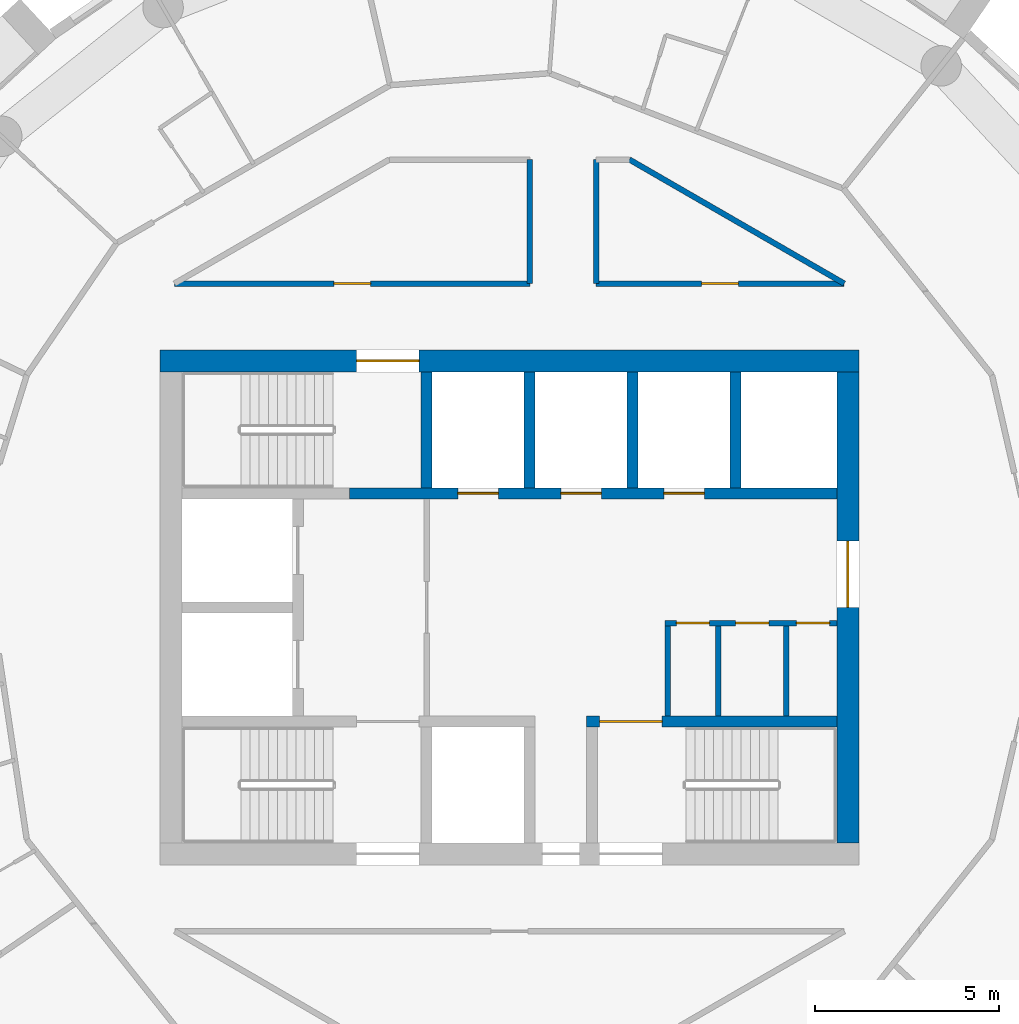
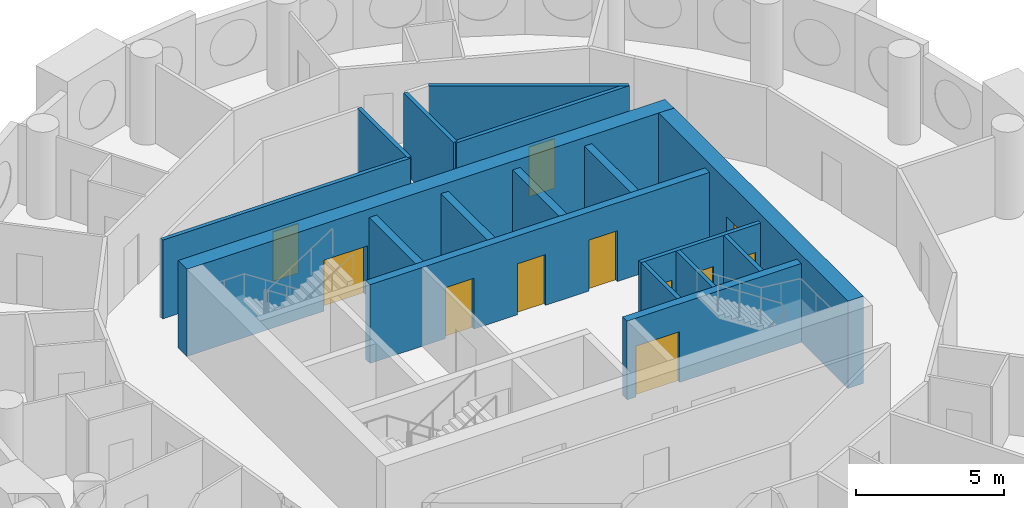
# One storey, part 6 of 11: 17 walls, 11 doors, 11 openings.
"""IFC4 building model written with IfcOpenShell, lengths in metres."""

from ifc_helpers import new_model, si_unit, direction, frame, frame_2d, origin, place, context, subcontext, project, spatial, rectangle, extrude, material, layer, layer_set, type_object, element, fill, save


model = new_model("IFC4")

# Units and contexts
model_context = context("Model", 3, precision=1e-05, world=origin(), true_north=direction((0.0, 1.0)))
body_context = subcontext(model_context, "Body", "Model", "MODEL_VIEW")
ifc_project = project(units=[si_unit("LENGTHUNIT", "METRE"), si_unit("AREAUNIT", "SQUARE_METRE"), si_unit("VOLUMEUNIT", "CUBIC_METRE"), si_unit("PLANEANGLEUNIT", "RADIAN"), si_unit("MASSUNIT", "GRAM", prefix="KILO")], contexts=[model_context])

# Site, building, storey
site_placement = place(None, origin())
site = spatial("IfcSite", under=ifc_project, at=site_placement, CompositionType="ELEMENT")
building_placement = place(site_placement, origin())
building = spatial("IfcBuilding", under=site, at=building_placement, Name="Tracery Tower", CompositionType="ELEMENT")
storey_placement = place(building_placement, frame((0.0, 0.0, 267.0)))
storey = spatial("IfcBuildingStorey", under=building, at=storey_placement, Name="L69", CompositionType="ELEMENT", Elevation=267.0)

# Wall
ifc_material_1 = material(Name="Plasterboard on steel studs", Category="steel")
ifc_layer_1 = layer(ifc_material_1, 0.14990234375)
ifc_layer_set_1 = layer_set([ifc_layer_1], Name="Core room partition 150")
wall_type_1 = type_object("IfcWallType", Name="Core room partition 150", PredefinedType="SOLIDWALL", material=ifc_layer_set_1)
wall_1_placement = place(storey_placement, frame((4.300048828125, -2.949951171875, 0.0), z_axis=(0.0, 0.0, 1.0), x_axis=(0.0, 1.0, 0.0)))
element("IfcWall", 1, at=wall_1_placement, inside=storey, type_object=wall_type_1, Name="L69 slot W", PredefinedType="SOLIDWALL", context=body_context, shape_type="SweptSolid", body=[
    extrude(rectangle(XDim=2.449951171875, YDim=0.14990234375, at=frame_2d((1.22509765625, 0.0))), origin(), (0.0, 0.0, 1.0), 3.25),
])

# Wall, openings, doors
wall_2_placement = place(storey_placement, frame((4.22509765625, -0.425048828125, 0.0), z_axis=(0.0, 0.0, 1.0), x_axis=(1.0, 0.0, 0.0)))
wall_2 = element("IfcWall", 2, at=wall_2_placement, inside=storey, type_object=wall_type_1, Name="L69 slot N", PredefinedType="SOLIDWALL", context=body_context, shape_type="SweptSolid", body=[
    extrude(rectangle(XDim=4.6748046875, YDim=0.14990234375, at=frame_2d((2.33740234375, 0.0))), origin(), (0.0, 0.0, 1.0), 3.25),
])
opening_1_placement = place(wall_2_placement, frame((0.3125, 0.0, 0.0)))
opening_1 = element("IfcOpeningElement", 3, at=opening_1_placement, cuts=wall_2, Name="Opening KD32", PredefinedType="OPENING", context=body_context, shape_type="SweptSolid", body=[
    extrude(rectangle(XDim=0.89990234375, YDim=2.10009765625, at=frame_2d((0.449951171875, 1.050048828125))), frame((0.0, 0.074951171875, 0.0), z_axis=(0.0, -1.0, 0.0), x_axis=(1.0, 0.0, 0.0)), (0.0, 0.0, 1.0), 0.14990234375),
])
opening_2_placement = place(wall_2_placement, frame((1.925048828125, 0.0, 0.0)))
opening_2 = element("IfcOpeningElement", 4, at=opening_2_placement, cuts=wall_2, Name="Opening KD21", PredefinedType="OPENING", context=body_context, shape_type="SweptSolid", body=[
    extrude(rectangle(XDim=0.89990234375, YDim=2.10009765625, at=frame_2d((0.449951171875, 1.050048828125))), frame((0.0, 0.074951171875, 0.0), z_axis=(0.0, -1.0, 0.0), x_axis=(1.0, 0.0, 0.0)), (0.0, 0.0, 1.0), 0.14990234375),
])
opening_3_placement = place(wall_2_placement, frame((3.574951171875, 0.0, 0.0)))
opening_3 = element("IfcOpeningElement", 5, at=opening_3_placement, cuts=wall_2, Name="Opening KD27", PredefinedType="OPENING", context=body_context, shape_type="SweptSolid", body=[
    extrude(rectangle(XDim=0.89990234375, YDim=2.10009765625, at=frame_2d((0.449951171875, 1.050048828125))), frame((0.0, 0.074951171875, 0.0), z_axis=(0.0, -1.0, 0.0), x_axis=(1.0, 0.0, 0.0)), (0.0, 0.0, 1.0), 0.14990234375),
])
ifc_material_2 = material(Name="Timber door leaf", Category="wood")
door_type_1 = type_object("IfcDoorType", Name="Core WC door 900", OperationType="NOTDEFINED", PredefinedType="DOOR", material=ifc_material_2)
door_1_placement = place(opening_2_placement, origin())
door_1 = element("IfcDoor", 6, at=door_1_placement, inside=storey, type_object=door_type_1, Name="Core door", OperationType="SINGLE_SWING_LEFT", OverallHeight=2.10009765625, OverallWidth=0.89990234375, PredefinedType="DOOR", context=body_context, shape_type="SweptSolid", body=[
    extrude(rectangle(XDim=0.89990234375, YDim=2.10009765625, at=frame_2d((0.449951171875, 1.050048828125))), frame((0.0, 0.02490234375, 0.0), z_axis=(0.0, -1.0, 0.0), x_axis=(1.0, 0.0, 0.0)), (0.0, 0.0, 1.0), 0.050048828125),
])
fill(opening_2, door_1)
ifc_material_3 = material(Name="Steel fire door", Category="steel")
door_type_2 = type_object("IfcDoorType", Name="Core riser door 900", OperationType="NOTDEFINED", PredefinedType="DOOR", material=ifc_material_3)
door_2_placement = place(opening_1_placement, origin())
door_2 = element("IfcDoor", 7, at=door_2_placement, inside=storey, type_object=door_type_2, Name="Core door", OperationType="SINGLE_SWING_RIGHT", OverallHeight=2.10009765625, OverallWidth=0.89990234375, PredefinedType="DOOR", context=body_context, shape_type="SweptSolid", body=[
    extrude(rectangle(XDim=0.89990234375, YDim=2.10009765625, at=frame_2d((0.449951171875, 1.050048828125))), frame((0.0, 0.02490234375, 0.0), z_axis=(0.0, -1.0, 0.0), x_axis=(1.0, 0.0, 0.0)), (0.0, 0.0, 1.0), 0.050048828125),
])
fill(opening_1, door_2)
ifc_material_4 = material(Name="Timber door leaf", Category="wood")
door_type_3 = type_object("IfcDoorType", Name="Core store door 900", OperationType="NOTDEFINED", PredefinedType="DOOR", material=ifc_material_4)
door_3_placement = place(opening_3_placement, origin())
door_3 = element("IfcDoor", 8, at=door_3_placement, inside=storey, type_object=door_type_3, Name="Core door", OperationType="SINGLE_SWING_RIGHT", OverallHeight=2.10009765625, OverallWidth=0.89990234375, PredefinedType="DOOR", context=body_context, shape_type="SweptSolid", body=[
    extrude(rectangle(XDim=0.89990234375, YDim=2.10009765625, at=frame_2d((0.449951171875, 1.050048828125))), frame((0.0, 0.02490234375, 0.0), z_axis=(0.0, -1.0, 0.0), x_axis=(1.0, 0.0, 0.0)), (0.0, 0.0, 1.0), 0.050048828125),
])
fill(opening_3, door_3)

# Walls
for number, where, z_axis, x_axis, name in (
    (9, (5.675048828125, -2.949951171875, 0.0), (0.0, 0.0, 1.0), (0.0, 1.0, 0.0), "L69 slot sep 1"),
    (10, (7.52490234375, -2.949951171875, 0.0), (0.0, 0.0, 1.0), (0.0, 1.0, 0.0), "L69 slot sep 2"),
):
    element("IfcWall", number, at=place(storey_placement, frame(where, z_axis=z_axis, x_axis=x_axis)), inside=storey, type_object=wall_type_1, Name=name, PredefinedType="SOLIDWALL", context=body_context, shape_type="SweptSolid", body=[
        extrude(rectangle(XDim=2.449951171875, YDim=0.14990234375, at=frame_2d((1.22509765625, 0.0))), origin(), (0.0, 0.0, 1.0), 3.25),
    ])

# Wall, opening, door
ifc_material_5 = material(Name="Concrete C40/50", Category="concrete")
ifc_layer_2 = layer(ifc_material_5, 0.60009765625)
ifc_layer_set_2 = layer_set([ifc_layer_2], Name="Core wall 600 C40")
wall_type_2 = type_object("IfcWallType", Name="Core wall 600 C40", PredefinedType="SOLIDWALL", material=ifc_layer_set_2)
wall_3_placement = place(storey_placement, frame((-9.5, 6.699951171875, 0.0), z_axis=(0.0, 0.0, 1.0), x_axis=(1.0, 0.0, 0.0)))
wall_3 = element("IfcWall", 11, at=wall_3_placement, inside=storey, type_object=wall_type_2, Name="L69 outer N", PredefinedType="SOLIDWALL", context=body_context, shape_type="SweptSolid", body=[
    extrude(rectangle(XDim=19.0, YDim=0.60009765625, at=frame_2d((9.5, 0.0))), origin(), (0.0, 0.0, 1.0), 3.60009765625),
])
opening_4_placement = place(wall_3_placement, frame((5.35009765625, 0.0, 0.0)))
opening_4 = element("IfcOpeningElement", 12, at=opening_4_placement, cuts=wall_3, Name="Opening KD3", PredefinedType="OPENING", context=body_context, shape_type="SweptSolid", body=[
    extrude(rectangle(XDim=1.699951171875, YDim=2.10009765625, at=frame_2d((0.85009765625, 1.050048828125))), frame((0.0, 0.300048828125, 0.0), z_axis=(0.0, -1.0, 0.0), x_axis=(1.0, 0.0, 0.0)), (0.0, 0.0, 1.0), 0.60009765625),
])
ifc_material_6 = material(Name="Steel fire door", Category="steel")
door_type_4 = type_object("IfcDoorType", Name="Core stair door 1700 double", OperationType="NOTDEFINED", PredefinedType="DOOR", material=ifc_material_6)
door_4_placement = place(opening_4_placement, origin())
door_4 = element("IfcDoor", 13, at=door_4_placement, inside=storey, type_object=door_type_4, Name="Stair door ST3 exit", OperationType="DOUBLE_DOOR_SINGLE_SWING", OverallHeight=2.10009765625, OverallWidth=1.699951171875, PredefinedType="DOOR", context=body_context, shape_type="SweptSolid", body=[
    extrude(rectangle(XDim=1.699951171875, YDim=2.10009765625, at=frame_2d((0.85009765625, 1.050048828125))), frame((0.0, 0.02490234375, 0.0), z_axis=(0.0, -1.0, 0.0), x_axis=(1.0, 0.0, 0.0)), (0.0, 0.0, 1.0), 0.050048828125),
])
fill(opening_4, door_4)

wall_4_placement = place(storey_placement, frame((9.199951171875, -6.39990234375, 0.0), z_axis=(0.0, 0.0, 1.0), x_axis=(0.0, 1.0, 0.0)))
wall_4 = element("IfcWall", 14, at=wall_4_placement, inside=storey, type_object=wall_type_2, Name="L69 outer E", PredefinedType="SOLIDWALL", context=body_context, shape_type="SweptSolid", body=[
    extrude(rectangle(XDim=12.7998046875, YDim=0.60009765625, at=frame_2d((6.39990234375, 0.0))), origin(), (0.0, 0.0, 1.0), 3.60009765625),
])
opening_5_placement = place(wall_4_placement, frame((6.39990234375, 0.0, 0.0)))
opening_5 = element("IfcOpeningElement", 15, at=opening_5_placement, cuts=wall_4, Name="Opening KD13", PredefinedType="OPENING", context=body_context, shape_type="SweptSolid", body=[
    extrude(rectangle(XDim=1.800048828125, YDim=2.10009765625, at=frame_2d((0.89990234375, 1.050048828125))), frame((0.0, 0.300048828125, 0.0), z_axis=(0.0, -1.0, 0.0), x_axis=(1.0, 0.0, 0.0)), (0.0, 0.0, 1.0), 0.60009765625),
])
ifc_material_7 = material(Name="Steel fire door", Category="steel")
door_type_5 = type_object("IfcDoorType", Name="Core exit door 1800 double", OperationType="NOTDEFINED", PredefinedType="DOOR", material=ifc_material_7)
door_5_placement = place(opening_5_placement, origin())
door_5 = element("IfcDoor", 16, at=door_5_placement, inside=storey, type_object=door_type_5, Name="Core exit door", OperationType="DOUBLE_DOOR_SINGLE_SWING", OverallHeight=2.10009765625, OverallWidth=1.800048828125, PredefinedType="DOOR", context=body_context, shape_type="SweptSolid", body=[
    extrude(rectangle(XDim=1.800048828125, YDim=2.10009765625, at=frame_2d((0.89990234375, 1.050048828125))), frame((0.0, 0.02490234375, 0.0), z_axis=(0.0, -1.0, 0.0), x_axis=(1.0, 0.0, 0.0)), (0.0, 0.0, 1.0), 0.050048828125),
])
fill(opening_5, door_5)

ifc_material_8 = material(Name="Plasterboard on steel studs", Category="steel")
ifc_layer_3 = layer(ifc_material_8, 0.14990234375)
ifc_layer_set_3 = layer_set([ifc_layer_3], Name="Partition 150 corridor wall")
wall_type_3 = type_object("IfcWallType", Name="Partition 150 corridor wall", PredefinedType="PARTITIONING", material=ifc_layer_set_3)
wall_5_placement = place(storey_placement, frame((-9.10302734375, 8.800048828125, 0.0), z_axis=(0.0, 0.0, 1.0), x_axis=(1.0, 0.0, 0.0)))
wall_5 = element("IfcWall", 17, at=wall_5_placement, inside=storey, type_object=wall_type_3, Name="Corridor wall RC4-001", PredefinedType="PARTITIONING", context=body_context, shape_type="SweptSolid", body=[
    extrude(rectangle(XDim=9.6630859375, YDim=0.14990234375, at=frame_2d((4.83154296875, 0.0))), origin(), (0.0, 0.0, 1.0), 3.25),
])
opening_6_placement = place(wall_5_placement, frame((4.33203125, 0.0, 0.0)))
opening_6 = element("IfcOpeningElement", 18, at=opening_6_placement, cuts=wall_5, Name="Opening RC4-01", PredefinedType="OPENING", context=body_context, shape_type="SweptSolid", body=[
    extrude(rectangle(XDim=1.0, YDim=2.0400390625, at=frame_2d((0.5, 1.02001953125))), frame((0.0, 0.074951171875, 0.0), z_axis=(0.0, -1.0, 0.0), x_axis=(1.0, 0.0, 0.0)), (0.0, 0.0, 1.0), 0.14990234375),
])
ifc_material_9 = material(Name="Timber door leaf", Category="wood")
door_type_6 = type_object("IfcDoorType", Name="Door communal room 1000", OperationType="NOTDEFINED", PredefinedType="DOOR", material=ifc_material_9)
door_6_placement = place(opening_6_placement, origin())
door_6 = element("IfcDoor", 19, at=door_6_placement, inside=storey, type_object=door_type_6, Name="Communal room door RC4-01", OperationType="SINGLE_SWING_RIGHT", OverallHeight=2.0400390625, OverallWidth=1.0, PredefinedType="DOOR", context=body_context, shape_type="SweptSolid", body=[
    extrude(rectangle(XDim=1.0, YDim=2.0400390625, at=frame_2d((0.5, 1.02001953125))), frame((0.0, 0.02490234375, 0.0), z_axis=(0.0, -1.0, 0.0), x_axis=(1.0, 0.0, 0.0)), (0.0, 0.0, 1.0), 0.050048828125),
])
fill(opening_6, door_6)

wall_6_placement = place(storey_placement, frame((2.35205078125, 8.800048828125, 0.0), z_axis=(0.0, 0.0, 1.0), x_axis=(1.0, 0.0, 0.0)))
wall_6 = element("IfcWall", 20, at=wall_6_placement, inside=storey, type_object=wall_type_3, Name="Corridor wall RC4-002", PredefinedType="PARTITIONING", context=body_context, shape_type="SweptSolid", body=[
    extrude(rectangle(XDim=6.74853515625, YDim=0.14990234375, at=frame_2d((3.374267578125, 0.0))), origin(), (0.0, 0.0, 1.0), 3.25),
])
opening_7_placement = place(wall_6_placement, frame((2.8701171875, 0.0, 0.0)))
opening_7 = element("IfcOpeningElement", 21, at=opening_7_placement, cuts=wall_6, Name="Opening RC4-02", PredefinedType="OPENING", context=body_context, shape_type="SweptSolid", body=[
    extrude(rectangle(XDim=1.0, YDim=2.0400390625, at=frame_2d((0.5, 1.02001953125))), frame((0.0, 0.074951171875, 0.0), z_axis=(0.0, -1.0, 0.0), x_axis=(1.0, 0.0, 0.0)), (0.0, 0.0, 1.0), 0.14990234375),
])
door_7_placement = place(opening_7_placement, origin())
door_7 = element("IfcDoor", 22, at=door_7_placement, inside=storey, type_object=door_type_6, Name="Communal room door RC4-02", OperationType="SINGLE_SWING_RIGHT", OverallHeight=2.0400390625, OverallWidth=1.0, PredefinedType="DOOR", context=body_context, shape_type="SweptSolid", body=[
    extrude(rectangle(XDim=1.0, YDim=2.0400390625, at=frame_2d((0.5, 1.02001953125))), frame((0.0, 0.02490234375, 0.0), z_axis=(0.0, -1.0, 0.0), x_axis=(1.0, 0.0, 0.0)), (0.0, 0.0, 1.0), 0.050048828125),
])
fill(opening_7, door_7)

# Walls
wall_7_placement = place(storey_placement, frame((0.555908203125, 8.800048828125, 0.0), z_axis=(0.0, 0.0, 1.0), x_axis=(0.0, 1.0, 0.0)))
element("IfcWall", 23, at=wall_7_placement, inside=storey, type_object=wall_type_3, Name="Corridor wall RC4-020", PredefinedType="PARTITIONING", context=body_context, shape_type="SweptSolid", body=[
    extrude(rectangle(XDim=3.370849609375, YDim=0.14990234375, at=frame_2d((1.685546875, 0.0))), origin(), (0.0, 0.0, 1.0), 3.25),
])
wall_8_placement = place(storey_placement, frame((3.260986328125, 12.1708984375, 0.0), z_axis=(0.0, 0.0, 1.0), x_axis=(0.866066809554, -0.499928276245, 0.0)))
element("IfcWall", 24, at=wall_8_placement, inside=storey, type_object=wall_type_3, Name="Corridor wall RC4-023", PredefinedType="PARTITIONING", context=body_context, shape_type="SweptSolid", body=[
    extrude(rectangle(XDim=6.74267578125, YDim=0.14990234375, at=frame_2d((3.371337890625, 0.0))), origin(), (0.0, 0.0, 1.0), 3.25),
])
wall_9_placement = place(storey_placement, frame((2.35595703125, 8.800048828125, 0.0), z_axis=(0.0, 0.0, 1.0), x_axis=(0.0, 1.0, 0.0)))
element("IfcWall", 25, at=wall_9_placement, inside=storey, type_object=wall_type_3, Name="Corridor wall RC4-025", PredefinedType="PARTITIONING", context=body_context, shape_type="SweptSolid", body=[
    extrude(rectangle(XDim=3.370849609375, YDim=0.14990234375, at=frame_2d((1.685546875, 0.0))), origin(), (0.0, 0.0, 1.0), 3.25),
])
ifc_material_10 = material(Name="Concrete C40/50", Category="concrete")
ifc_layer_4 = layer(ifc_material_10, 0.300048828125)
ifc_layer_set_4 = layer_set([ifc_layer_4], Name="Shaft wall 300 C40")
wall_type_4 = type_object("IfcWallType", Name="Shaft wall 300 C40", PredefinedType="SOLIDWALL", material=ifc_layer_set_4)
for number, where, z_axis, x_axis, name in (
    (26, (0.550048828125, 3.25, 0.0), (0.0, 0.0, 1.0), (0.0, 1.0, 0.0), "L69 HR sep 1"),
    (27, (3.35009765625, 3.25, 0.0), (0.0, 0.0, 1.0), (0.0, 1.0, 0.0), "L69 HR sep 2"),
    (28, (6.14990234375, 3.25, 0.0), (0.0, 0.0, 1.0), (0.0, 1.0, 0.0), "L69 HR sep 3"),
):
    element("IfcWall", number, at=place(storey_placement, frame(where, z_axis=z_axis, x_axis=x_axis)), inside=storey, type_object=wall_type_4, Name=name, PredefinedType="SOLIDWALL", context=body_context, shape_type="SweptSolid", body=[
        extrude(rectangle(XDim=3.14990234375, YDim=0.300048828125, at=frame_2d((1.574951171875, 0.0))), origin(), (0.0, 0.0, 1.0), 3.25),
    ])

# Wall, opening, door
ifc_material_11 = material(Name="Concrete C40/50", Category="concrete")
ifc_layer_5 = layer(ifc_material_11, 0.300048828125)
ifc_layer_set_5 = layer_set([ifc_layer_5], Name="Stair wall 300 C40")
wall_type_5 = type_object("IfcWallType", Name="Stair wall 300 C40", PredefinedType="SOLIDWALL", material=ifc_layer_set_5)
wall_10_placement = place(storey_placement, frame((2.10009765625, -3.10009765625, 0.0), z_axis=(0.0, 0.0, 1.0), x_axis=(1.0, 0.0, 0.0)))
wall_10 = element("IfcWall", 29, at=wall_10_placement, inside=storey, type_object=wall_type_5, Name="L69 row S E", PredefinedType="SOLIDWALL", context=body_context, shape_type="SweptSolid", body=[
    extrude(rectangle(XDim=6.7998046875, YDim=0.300048828125, at=frame_2d((3.39990234375, 0.0))), origin(), (0.0, 0.0, 1.0), 3.25),
])
opening_8_placement = place(wall_10_placement, frame((0.35009765625, 0.0, 0.0)))
opening_8 = element("IfcOpeningElement", 30, at=opening_8_placement, cuts=wall_10, Name="Opening KD3", PredefinedType="OPENING", context=body_context, shape_type="SweptSolid", body=[
    extrude(rectangle(XDim=1.699951171875, YDim=2.10009765625, at=frame_2d((0.85009765625, 1.050048828125))), frame((0.0, 0.14990234375, 0.0), z_axis=(0.0, -1.0, 0.0), x_axis=(1.0, 0.0, 0.0)), (0.0, 0.0, 1.0), 0.300048828125),
])
door_8_placement = place(opening_8_placement, origin())
door_8 = element("IfcDoor", 31, at=door_8_placement, inside=storey, type_object=door_type_4, Name="Stair door ST2", OperationType="DOUBLE_DOOR_SINGLE_SWING", OverallHeight=2.10009765625, OverallWidth=1.699951171875, PredefinedType="DOOR", context=body_context, shape_type="SweptSolid", body=[
    extrude(rectangle(XDim=1.699951171875, YDim=2.10009765625, at=frame_2d((0.85009765625, 1.050048828125))), frame((0.0, 0.02490234375, 0.0), z_axis=(0.0, -1.0, 0.0), x_axis=(1.0, 0.0, 0.0)), (0.0, 0.0, 1.0), 0.050048828125),
])
fill(opening_8, door_8)

# Wall, openings, doors
wall_11_placement = place(storey_placement, frame((-4.35009765625, 3.10009765625, 0.0), z_axis=(0.0, 0.0, 1.0), x_axis=(1.0, 0.0, 0.0)))
wall_11 = element("IfcWall", 32, at=wall_11_placement, inside=storey, type_object=wall_type_5, Name="L69 row N", PredefinedType="SOLIDWALL", context=body_context, shape_type="SweptSolid", body=[
    extrude(rectangle(XDim=13.25, YDim=0.300048828125, at=frame_2d((6.625, 0.0))), origin(), (0.0, 0.0, 1.0), 3.25),
])
opening_9_placement = place(wall_11_placement, frame((2.949951171875, 0.0, 0.0)))
opening_9 = element("IfcOpeningElement", 33, at=opening_9_placement, cuts=wall_11, Name="Opening KD49", PredefinedType="OPENING", context=body_context, shape_type="SweptSolid", body=[
    extrude(rectangle(XDim=1.10009765625, YDim=2.10009765625, at=frame_2d((0.550048828125, 1.050048828125))), frame((0.0, 0.14990234375, 0.0), z_axis=(0.0, -1.0, 0.0), x_axis=(1.0, 0.0, 0.0)), (0.0, 0.0, 1.0), 0.300048828125),
])
opening_10_placement = place(wall_11_placement, frame((5.75, 0.0, 0.0)))
opening_10 = element("IfcOpeningElement", 34, at=opening_10_placement, cuts=wall_11, Name="Opening KD50", PredefinedType="OPENING", context=body_context, shape_type="SweptSolid", body=[
    extrude(rectangle(XDim=1.10009765625, YDim=2.10009765625, at=frame_2d((0.550048828125, 1.050048828125))), frame((0.0, 0.14990234375, 0.0), z_axis=(0.0, -1.0, 0.0), x_axis=(1.0, 0.0, 0.0)), (0.0, 0.0, 1.0), 0.300048828125),
])
opening_11_placement = place(wall_11_placement, frame((8.550048828125, 0.0, 0.0)))
opening_11 = element("IfcOpeningElement", 35, at=opening_11_placement, cuts=wall_11, Name="Opening KD49", PredefinedType="OPENING", context=body_context, shape_type="SweptSolid", body=[
    extrude(rectangle(XDim=1.10009765625, YDim=2.10009765625, at=frame_2d((0.550048828125, 1.050048828125))), frame((0.0, 0.14990234375, 0.0), z_axis=(0.0, -1.0, 0.0), x_axis=(1.0, 0.0, 0.0)), (0.0, 0.0, 1.0), 0.300048828125),
])
ifc_material_12 = material(Name="Steel fire door", Category="steel")
door_type_7 = type_object("IfcDoorType", Name="Landing door 1100", OperationType="NOTDEFINED", PredefinedType="DOOR", material=ifc_material_12)
door_9_placement = place(opening_9_placement, origin())
door_9 = element("IfcDoor", 36, at=door_9_placement, inside=storey, type_object=door_type_7, Name="Landing door HR1", OperationType="SLIDING_TO_LEFT", OverallHeight=2.10009765625, OverallWidth=1.10009765625, PredefinedType="DOOR", context=body_context, shape_type="SweptSolid", body=[
    extrude(rectangle(XDim=1.10009765625, YDim=2.10009765625, at=frame_2d((0.550048828125, 1.050048828125))), frame((0.0, 0.02490234375, 0.0), z_axis=(0.0, -1.0, 0.0), x_axis=(1.0, 0.0, 0.0)), (0.0, 0.0, 1.0), 0.050048828125),
])
fill(opening_9, door_9)
door_10_placement = place(opening_10_placement, origin())
door_10 = element("IfcDoor", 37, at=door_10_placement, inside=storey, type_object=door_type_7, Name="Landing door HR2", OperationType="SLIDING_TO_RIGHT", OverallHeight=2.10009765625, OverallWidth=1.10009765625, PredefinedType="DOOR", context=body_context, shape_type="SweptSolid", body=[
    extrude(rectangle(XDim=1.10009765625, YDim=2.10009765625, at=frame_2d((0.550048828125, 1.050048828125))), frame((0.0, 0.02490234375, 0.0), z_axis=(0.0, -1.0, 0.0), x_axis=(1.0, 0.0, 0.0)), (0.0, 0.0, 1.0), 0.050048828125),
])
fill(opening_10, door_10)
door_11_placement = place(opening_11_placement, origin())
door_11 = element("IfcDoor", 38, at=door_11_placement, inside=storey, type_object=door_type_7, Name="Landing door HR3", OperationType="SLIDING_TO_LEFT", OverallHeight=2.10009765625, OverallWidth=1.10009765625, PredefinedType="DOOR", context=body_context, shape_type="SweptSolid", body=[
    extrude(rectangle(XDim=1.10009765625, YDim=2.10009765625, at=frame_2d((0.550048828125, 1.050048828125))), frame((0.0, 0.02490234375, 0.0), z_axis=(0.0, -1.0, 0.0), x_axis=(1.0, 0.0, 0.0)), (0.0, 0.0, 1.0), 0.050048828125),
])
fill(opening_11, door_11)

# Wall
wall_12_placement = place(storey_placement, frame((-2.25, 3.25, 0.0), z_axis=(0.0, 0.0, 1.0), x_axis=(0.0, 1.0, 0.0)))
element("IfcWall", 39, at=wall_12_placement, inside=storey, type_object=wall_type_5, Name="L69 ST3 E", PredefinedType="SOLIDWALL", context=body_context, shape_type="SweptSolid", body=[
    extrude(rectangle(XDim=3.14990234375, YDim=0.300048828125, at=frame_2d((1.574951171875, 0.0))), origin(), (0.0, 0.0, 1.0), 3.25),
])

save(model, "model.ifc")
